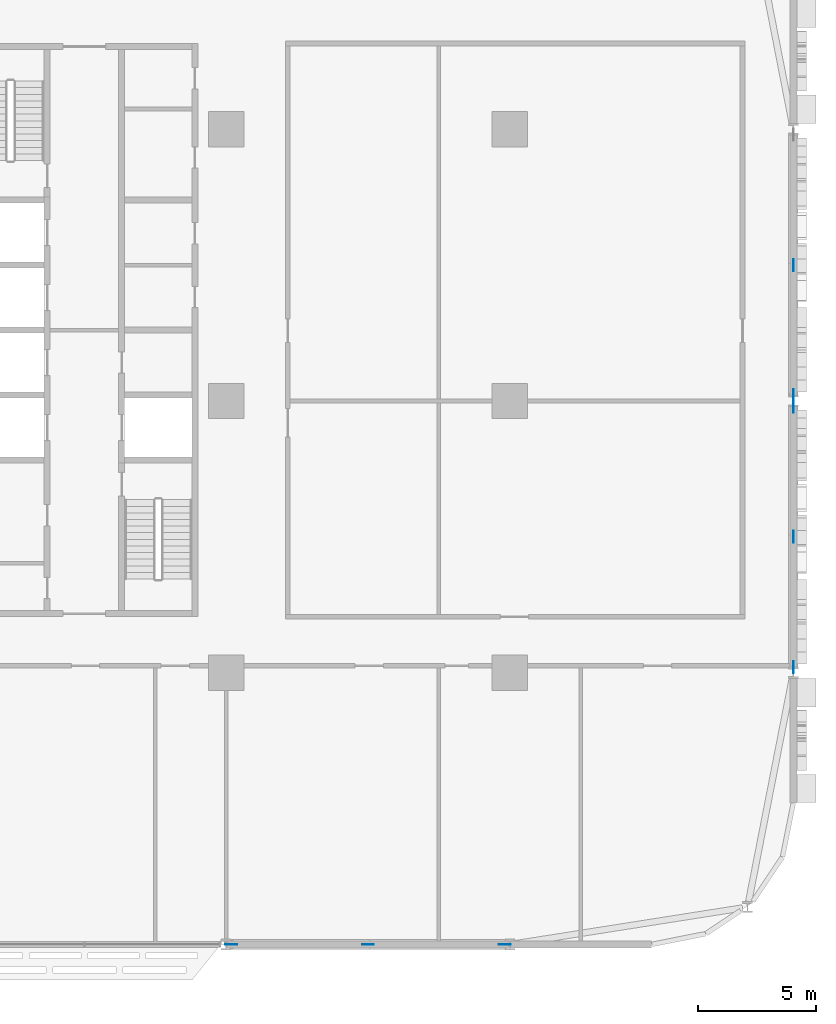
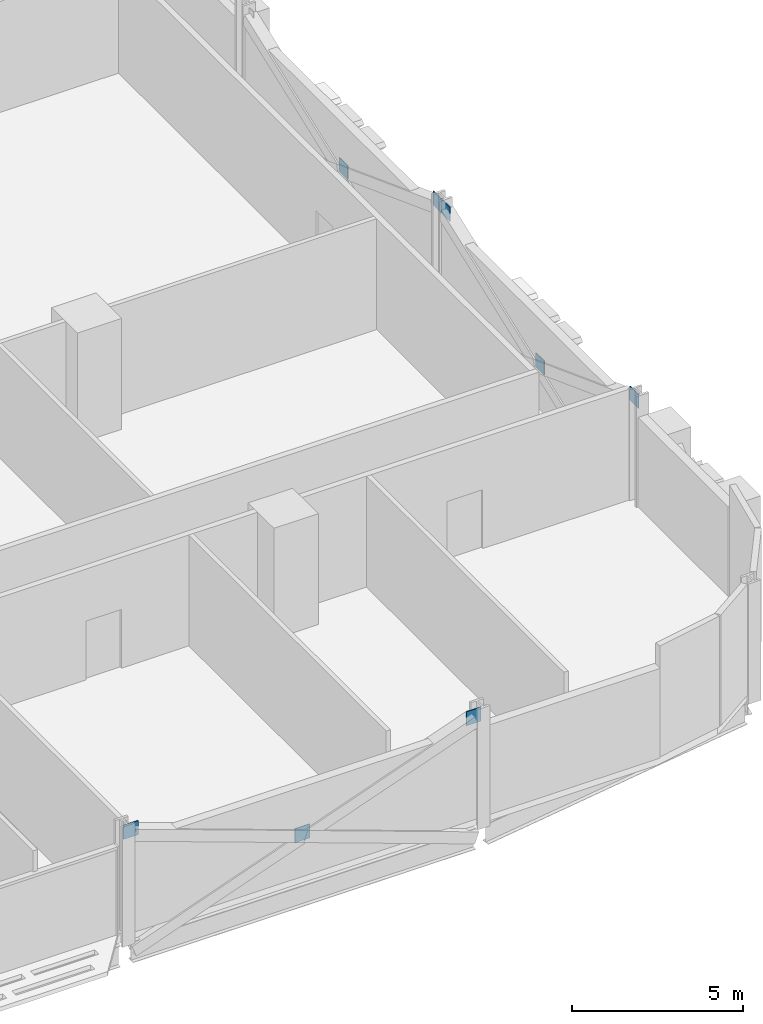
# One storey, part 22 of 29: 8 discrete accessories.
"""IFC4 building model written with IfcOpenShell, lengths in metres."""

from ifc_helpers import new_model, si_unit, direction, frame, origin, origin_2d, place, context, subcontext, project, spatial, rectangle, extrude, material, layer, layer_set, type_object, element, save


model = new_model("IFC4")

# Units and contexts
model_context = context("Model", 3, precision=1e-05, world=origin(), true_north=direction((0.0, 1.0)))
body_context = subcontext(model_context, "Body", "Model", "MODEL_VIEW")
ifc_project = project(units=[si_unit("LENGTHUNIT", "METRE"), si_unit("AREAUNIT", "SQUARE_METRE"), si_unit("VOLUMEUNIT", "CUBIC_METRE"), si_unit("PLANEANGLEUNIT", "RADIAN"), si_unit("MASSUNIT", "GRAM", prefix="KILO")], contexts=[model_context])

# Site, building, storey
site_placement = place(None, origin())
site = spatial("IfcSite", under=ifc_project, at=site_placement, CompositionType="ELEMENT")
building_placement = place(site_placement, origin())
building = spatial("IfcBuilding", under=site, at=building_placement, Name="Mahtab Terrace Research Tower", CompositionType="ELEMENT")
storey_placement = place(building_placement, frame((0.0, 0.0, 71.800048828125)))
storey = spatial("IfcBuildingStorey", under=building, at=storey_placement, Name="L16", CompositionType="ELEMENT", Elevation=71.800048828125)

# Discrete accessories
ifc_material = material(Name="Steel ASTM A992 Gr 50", Category="steel")
ifc_layer = layer(ifc_material, 0.030029296875)
ifc_layer_set = layer_set([ifc_layer], Name="Gusset plate 500x500x30")
discrete_accessory_type = type_object("IfcDiscreteAccessoryType", Name="Gusset plate 500x500x30", PredefinedType="USERDEFINED", material=ifc_layer_set)
for number, where, z_axis, x_axis, name in (
    (1, (30.212158203125, -23.0, 3.32958984375), (0.0, 0.0, 1.0), (1.0, 0.0, 0.0), "Gusset plate"),
    (2, (36.0, -23.0, 1.181396484375), (0.0, 0.0, 1.0), (1.0, 0.0, 0.0), "Gusset plate"),
    (3, (41.787841796875, -23.0, 3.32958984375), (0.0, 0.0, 1.0), (1.0, 0.0, 0.0), "Gusset plate"),
    (4, (54.0, -11.262451171875, 3.329345703125), (0.0, 0.0, 1.0), (0.0, 1.0, 0.0), "Gusset plate"),
    (5, (54.0, -5.75, 1.181396484375), (0.0, 0.0, 1.0), (0.0, 1.0, 0.0), "Gusset plate"),
    (6, (54.0, -0.237548828125, 3.329345703125), (0.0, 0.0, 1.0), (0.0, 1.0, 0.0), "Gusset plate"),
    (7, (54.0, 0.237548828125, 3.329345703125), (0.0, 0.0, 1.0), (0.0, 1.0, 0.0), "Gusset plate"),
    (8, (54.0, 5.75, 1.181396484375), (0.0, 0.0, 1.0), (0.0, 1.0, 0.0), "Gusset plate"),
):
    element("IfcDiscreteAccessory", number, at=place(storey_placement, frame(where, z_axis=z_axis, x_axis=x_axis)), inside=storey, type_object=discrete_accessory_type, Name=name, ObjectType="GUSSET PLATE", PredefinedType="USERDEFINED", context=body_context, shape_type="SweptSolid", body=[
        extrude(rectangle(XDim=0.5, YDim=0.030029296875, at=origin_2d()), origin(), (0.0, 0.0, 1.0), 0.5),
    ])

save(model, "model.ifc")
